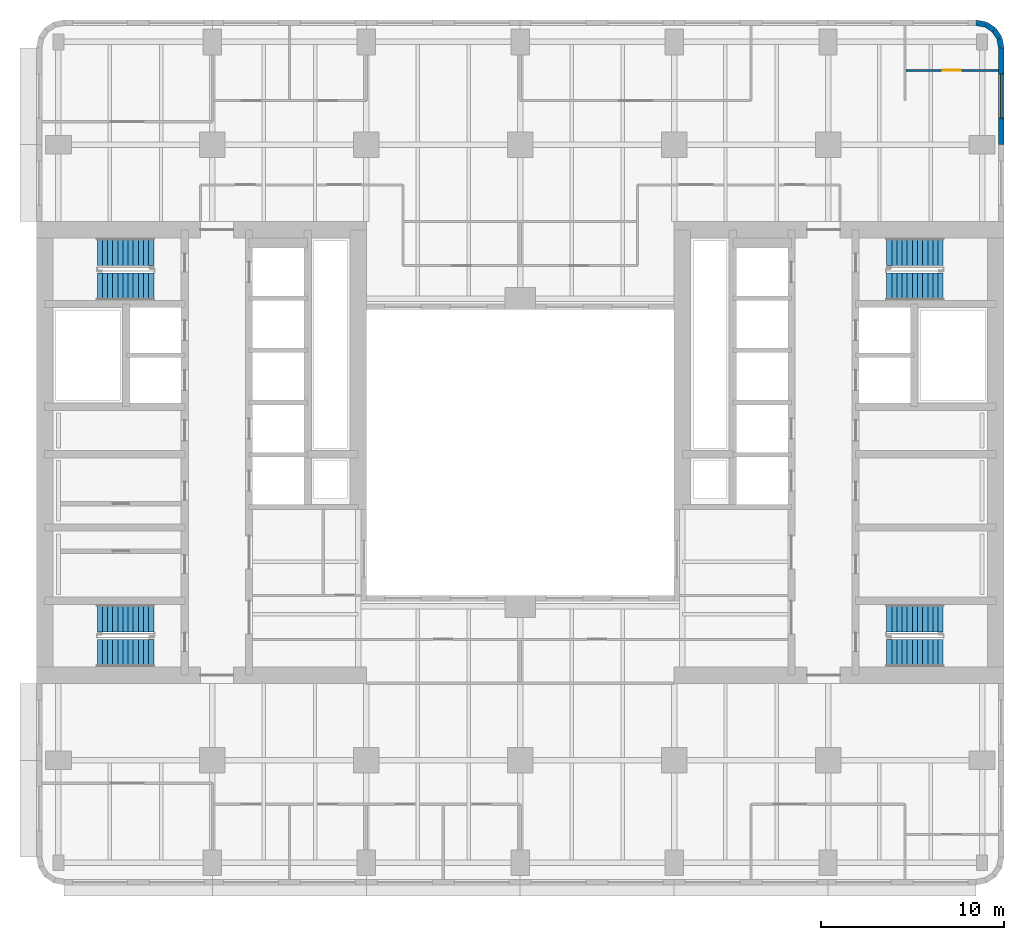
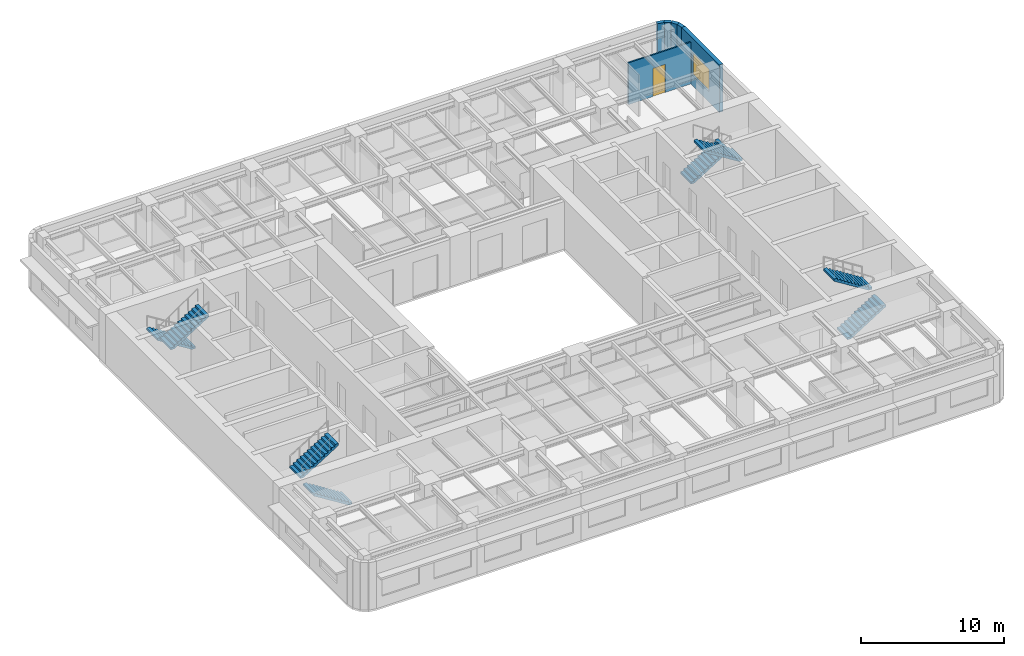
# One storey, part 8 of 11: 8 stair flights, 6 walls, 1 door, 1 window, 2 openings, 4 elements without a shape of their own.
"""IFC4 building model written with IfcOpenShell, lengths in metres."""

from ifc_helpers import new_model, si_unit, direction, frame, frame_2d, origin, place, context, subcontext, project, spatial, polyline, rectangle, outline, extrude, material, layer, layer_set, type_object, element, fill, aggregate, save


model = new_model("IFC4")

# Units and contexts
model_context = context("Model", 3, precision=1e-05, world=origin(), true_north=direction((0.0, 1.0)))
body_context = subcontext(model_context, "Body", "Model", "MODEL_VIEW")
ifc_project = project(units=[si_unit("LENGTHUNIT", "METRE"), si_unit("AREAUNIT", "SQUARE_METRE"), si_unit("VOLUMEUNIT", "CUBIC_METRE"), si_unit("PLANEANGLEUNIT", "RADIAN"), si_unit("MASSUNIT", "GRAM", prefix="KILO")], contexts=[model_context])

# Site, building, storey
site_placement = place(None, origin())
site = spatial("IfcSite", under=ifc_project, at=site_placement, CompositionType="ELEMENT")
building_placement = place(site_placement, origin())
building = spatial("IfcBuilding", under=site, at=building_placement, Name="Claustro Exchange Tower", CompositionType="ELEMENT")
storey_placement = place(building_placement, frame((0.0, 0.0, 121.800048828125)))
storey = spatial("IfcBuildingStorey", under=building, at=storey_placement, Name="L27", CompositionType="ELEMENT", Elevation=121.800048828125)

# Wall, opening, door
ifc_material_1 = material(Name="Laminated glass in aluminium frame", Category="aluminium")
ifc_layer_1 = layer(ifc_material_1, 0.1201171875)
ifc_layer_set_1 = layer_set([ifc_layer_1], Name="Laminated glass in aluminium frame")
wall_type_1 = type_object("IfcWallType", Name="P2 120 glazed partition", PredefinedType="PARTITIONING", material=ifc_layer_set_1)
wall_1_placement = place(storey_placement, frame((46.258056640625, 46.050048828125, 0.0), z_axis=(0.0, 0.0, 1.0), x_axis=(1.0, 0.0, 0.0)))
wall_1 = element("IfcWall", 1, at=wall_1_placement, inside=storey, type_object=wall_type_1, Name="Partition P2 L27", PredefinedType="PARTITIONING", context=body_context, shape_type="SweptSolid", body=[
    extrude(rectangle(XDim=5.0439453125, YDim=0.1201171875, at=frame_2d((2.52197265625, 0.0))), origin(), (0.0, 0.0, 1.0), 3.56005859375),
])
opening_1_placement = place(wall_1_placement, frame((1.991943359375, 0.0, 0.0)))
opening_1 = element("IfcOpeningElement", 2, at=opening_1_placement, cuts=wall_1, Name="Opening D7", PredefinedType="OPENING", context=body_context, shape_type="SweptSolid", body=[
    extrude(rectangle(XDim=1.0, YDim=2.39990234375, at=frame_2d((0.5, 1.199951171875))), frame((0.0, 0.070068359375, 0.0), z_axis=(0.0, -1.0, 0.0), x_axis=(1.0, 0.0, 0.0)), (0.0, 0.0, 1.0), 0.14013671875),
])
ifc_material_2 = material(Name="Glass door in aluminium frame", Category="aluminium")
door_type = type_object("IfcDoorType", Name="D7 1000 x 2400 glazed door", OperationType="SINGLE_SWING_LEFT", PredefinedType="DOOR", material=ifc_material_2)
door_placement = place(opening_1_placement, origin())
door = element("IfcDoor", 3, at=door_placement, inside=storey, type_object=door_type, Name="Door D7 L27", OperationType="SINGLE_SWING_LEFT", OverallHeight=2.39990234375, OverallWidth=1.0, PredefinedType="DOOR", context=body_context, shape_type="SweptSolid", body=[
    extrude(rectangle(XDim=1.0, YDim=2.39990234375, at=frame_2d((0.5, 1.199951171875))), frame((0.0, 0.02490234375, 0.0), z_axis=(0.0, -1.0, 0.0), x_axis=(1.0, 0.0, 0.0)), (0.0, 0.0, 1.0), 0.050048828125),
])
fill(opening_1, door)

# Walls
ifc_material_3 = material(Name="Concrete HA-40 (C40/50), precast, white cement, acid-etched", Category="concrete")
ifc_layer_2 = layer(ifc_material_3, 0.300048828125)
ifc_layer_set_2 = layer_set([ifc_layer_2], Name="Concrete HA-40 (C40/50), precast, white cement, acid-etched")
wall_type_2 = type_object("IfcWallType", Name="PC1 300 precast concrete pier panel", PredefinedType="SOLIDWALL", material=ifc_layer_set_2)
wall_2_placement = place(storey_placement, frame((50.085205078125, 48.64990234375, 0.0), z_axis=(0.0, 0.0, 1.0), x_axis=(0.980788534345, -0.195073962632, 0.0)))
element("IfcWall", 4, at=wall_2_placement, inside=storey, type_object=wall_type_2, Name="Precast pier panel PC1 L27", PredefinedType="SOLIDWALL", context=body_context, shape_type="SweptSolid", body=[
    extrude(rectangle(XDim=0.540771484375, YDim=0.300048828125, at=frame_2d((0.2705078125, 0.0))), origin(), (0.0, 0.0, 1.0), 4.050048828125),
])
wall_3_placement = place(storey_placement, frame((50.615478515625, 48.54443359375, 0.0), z_axis=(0.0, 0.0, 1.0), x_axis=(0.831692711774, -0.555236195849, 0.0)))
element("IfcWall", 5, at=wall_3_placement, inside=storey, type_object=wall_type_2, Name="Precast pier panel PC1 L27", PredefinedType="SOLIDWALL", context=body_context, shape_type="SweptSolid", body=[
    extrude(rectangle(XDim=0.525390625, YDim=0.300048828125, at=frame_2d((0.2626953125, 0.0))), origin(), (0.0, 0.0, 1.0), 4.050048828125),
])
wall_4_placement = place(storey_placement, frame((51.052490234375, 48.252685546875, 0.0), z_axis=(0.0, 0.0, 1.0), x_axis=(0.55534295404, -0.831621430339, 0.0)))
element("IfcWall", 6, at=wall_4_placement, inside=storey, type_object=wall_type_2, Name="Precast pier panel PC1 L27", PredefinedType="SOLIDWALL", context=body_context, shape_type="SweptSolid", body=[
    extrude(rectangle(XDim=0.52587890625, YDim=0.300048828125, at=frame_2d((0.262939453125, 0.0))), origin(), (0.0, 0.0, 1.0), 4.050048828125),
])
wall_5_placement = place(storey_placement, frame((51.344482421875, 47.8154296875, 0.0), z_axis=(0.0, 0.0, 1.0), x_axis=(0.195073962632, -0.980788534345, 0.0)))
element("IfcWall", 7, at=wall_5_placement, inside=storey, type_object=wall_type_2, Name="Precast pier panel PC1 L27", PredefinedType="SOLIDWALL", context=body_context, shape_type="SweptSolid", body=[
    extrude(rectangle(XDim=0.540771484375, YDim=0.300048828125, at=frame_2d((0.2705078125, 0.0))), origin(), (0.0, 0.0, 1.0), 4.050048828125),
])

# Wall, opening, window
wall_6_placement = place(storey_placement, frame((51.449951171875, 47.28515625, 0.0), z_axis=(0.0, 0.0, 1.0), x_axis=(0.0, -1.0, 0.0)))
wall_6 = element("IfcWall", 8, at=wall_6_placement, inside=storey, type_object=wall_type_2, Name="Precast pier panel PC1 L27", PredefinedType="SOLIDWALL", context=body_context, shape_type="SweptSolid", body=[
    extrude(rectangle(XDim=5.28515625, YDim=0.300048828125, at=frame_2d((2.642578125, 0.0))), origin(), (0.0, 0.0, 1.0), 4.050048828125),
])
opening_2_placement = place(wall_6_placement, frame((1.442626953125, 0.0, 0.89990234375)))
opening_2 = element("IfcOpeningElement", 9, at=opening_2_placement, cuts=wall_6, Name="Opening W2", PredefinedType="OPENING", context=body_context, shape_type="SweptSolid", body=[
    extrude(rectangle(XDim=2.39990234375, YDim=1.89990234375, at=frame_2d((1.199951171875, 0.949951171875))), frame((0.0, 0.159912109375, 0.0), z_axis=(0.0, -1.0, 0.0), x_axis=(1.0, 0.0, 0.0)), (0.0, 0.0, 1.0), 0.320068359375),
])
ifc_material_4 = material(Name="Aluminium frame, clear double glazing", Category="aluminium")
window_type = type_object("IfcWindowType", Name="W2 2400 x 1900 window", PartitioningType="SINGLE_PANEL", PredefinedType="WINDOW", material=ifc_material_4)
window_placement = place(opening_2_placement, origin())
window = element("IfcWindow", 10, at=window_placement, inside=storey, type_object=window_type, Name="Window W2 L27", OverallHeight=1.89990234375, OverallWidth=2.39990234375, PartitioningType="SINGLE_PANEL", PredefinedType="WINDOW", context=body_context, shape_type="SweptSolid", body=[
    extrude(rectangle(XDim=2.39990234375, YDim=1.89990234375, at=frame_2d((1.199951171875, 0.949951171875))), frame((0.0, 0.030029296875, 0.0), z_axis=(0.0, -1.0, 0.0), x_axis=(1.0, 0.0, 0.0)), (0.0, 0.0, 1.0), 0.06005859375),
])
fill(opening_2, window)

# Stair, stair flights
ifc_material_5 = material(Name="Concrete HA-30 (C30/37), precast", Category="concrete")
stair_type = type_object("IfcStairType", Name="ST1 half-turn stair, 24 risers of 175", PredefinedType="HALF_TURN_STAIR", material=ifc_material_5)
stair_1_placement = place(storey_placement, origin())
stair_1 = element("IfcStair", 11, at=stair_1_placement, inside=storey, type_object=stair_type, Name="Stair STWA L27", PredefinedType="HALF_TURN_STAIR")
ifc_material_6 = material(Name="Concrete HA-30 (C30/37), precast", Category="concrete")
stair_flight_type = type_object("IfcStairFlightType", Name="SF12A straight flight, 12 risers of 175, 1500 wide", PredefinedType="STRAIGHT", material=ifc_material_6)
stair_flight_1_placement = place(storey_placement, frame((5.199951171875, 14.25, 0.0), z_axis=(0.0, 0.0, 1.0), x_axis=(-1.0, 0.0, 0.0)))
stair_flight_1 = element("IfcStairFlight", 12, at=stair_flight_1_placement, type_object=stair_flight_type, Name="STWA flight 1", NumberOfRisers=12, NumberOfTreads=11, PredefinedType="STRAIGHT", RiserHeight=0.175, TreadLength=0.28, context=body_context, shape_type="SweptSolid", body=[
    extrude(outline(polyline([(0.0, 0.0), (0.0, 0.175048828125), (0.280029296875, 0.175048828125), (0.280029296875, 0.35009765625), (0.56005859375, 0.35009765625), (0.56005859375, 0.52490234375), (0.840087890625, 0.52490234375), (0.840087890625, 0.699951171875), (1.1201171875, 0.699951171875), (1.1201171875, 0.875), (1.39990234375, 0.875), (1.39990234375, 1.050048828125), (1.679931640625, 1.050048828125), (1.679931640625, 1.22509765625), (1.9599609375, 1.22509765625), (1.9599609375, 1.39990234375), (2.239990234375, 1.39990234375), (2.239990234375, 1.574951171875), (2.52001953125, 1.574951171875), (2.52001953125, 1.75), (2.800048828125, 1.75), (2.800048828125, 1.925048828125), (3.080078125, 1.925048828125), (3.080078125, 2.10009765625), (3.080078125, 1.748291015625), (0.28271484375, 0.0), (0.0, 0.0)])), frame((0.0, 0.75, 0.0), z_axis=(0.0, -1.0, 0.0), x_axis=(1.0, 0.0, 0.0)), (0.0, 0.0, 1.0), 1.5),
])
stair_flight_2_placement = place(storey_placement, frame((2.1201171875, 16.14990234375, 2.099853515625), z_axis=(0.0, 0.0, 1.0), x_axis=(1.0, 0.0, 0.0)))
stair_flight_2 = element("IfcStairFlight", 13, at=stair_flight_2_placement, type_object=stair_flight_type, Name="STWA flight 2", NumberOfRisers=12, NumberOfTreads=11, PredefinedType="STRAIGHT", RiserHeight=0.175, TreadLength=0.28, context=body_context, shape_type="SweptSolid", body=[
    extrude(outline(polyline([(0.0, 0.0), (0.0, 0.175048828125), (0.280029296875, 0.175048828125), (0.280029296875, 0.35009765625), (0.56005859375, 0.35009765625), (0.56005859375, 0.52490234375), (0.840087890625, 0.52490234375), (0.840087890625, 0.699951171875), (1.1201171875, 0.699951171875), (1.1201171875, 0.875), (1.39990234375, 0.875), (1.39990234375, 1.050048828125), (1.679931640625, 1.050048828125), (1.679931640625, 1.22509765625), (1.9599609375, 1.22509765625), (1.9599609375, 1.39990234375), (2.239990234375, 1.39990234375), (2.239990234375, 1.574951171875), (2.52001953125, 1.574951171875), (2.52001953125, 1.75), (2.800048828125, 1.75), (2.800048828125, 1.925048828125), (3.080078125, 1.925048828125), (3.080078125, 2.10009765625), (3.080078125, 1.748291015625), (0.28271484375, 0.0), (0.0, 0.0)])), frame((0.0, 0.75, 0.0), z_axis=(0.0, -1.0, 0.0), x_axis=(1.0, 0.0, 0.0)), (0.0, 0.0, 1.0), 1.5),
])
aggregate(stair_1, [stair_flight_1, stair_flight_2])

stair_2_placement = place(storey_placement, origin())
stair_2 = element("IfcStair", 14, at=stair_2_placement, inside=storey, type_object=stair_type, Name="Stair STWB L27", PredefinedType="HALF_TURN_STAIR")
stair_flight_3_placement = place(storey_placement, frame((5.199951171875, 36.14990234375, 0.0), z_axis=(0.0, 0.0, 1.0), x_axis=(-1.0, 0.0, 0.0)))
stair_flight_3 = element("IfcStairFlight", 15, at=stair_flight_3_placement, type_object=stair_flight_type, Name="STWB flight 1", NumberOfRisers=12, NumberOfTreads=11, PredefinedType="STRAIGHT", RiserHeight=0.175, TreadLength=0.28, context=body_context, shape_type="SweptSolid", body=[
    extrude(outline(polyline([(0.0, 0.0), (0.0, 0.175048828125), (0.280029296875, 0.175048828125), (0.280029296875, 0.35009765625), (0.56005859375, 0.35009765625), (0.56005859375, 0.52490234375), (0.840087890625, 0.52490234375), (0.840087890625, 0.699951171875), (1.1201171875, 0.699951171875), (1.1201171875, 0.875), (1.39990234375, 0.875), (1.39990234375, 1.050048828125), (1.679931640625, 1.050048828125), (1.679931640625, 1.22509765625), (1.9599609375, 1.22509765625), (1.9599609375, 1.39990234375), (2.239990234375, 1.39990234375), (2.239990234375, 1.574951171875), (2.52001953125, 1.574951171875), (2.52001953125, 1.75), (2.800048828125, 1.75), (2.800048828125, 1.925048828125), (3.080078125, 1.925048828125), (3.080078125, 2.10009765625), (3.080078125, 1.748291015625), (0.28271484375, 0.0), (0.0, 0.0)])), frame((0.0, 0.75, 0.0), z_axis=(0.0, -1.0, 0.0), x_axis=(1.0, 0.0, 0.0)), (0.0, 0.0, 1.0), 1.5),
])
stair_flight_4_placement = place(storey_placement, frame((2.1201171875, 34.25, 2.099853515625), z_axis=(0.0, 0.0, 1.0), x_axis=(1.0, 0.0, 0.0)))
stair_flight_4 = element("IfcStairFlight", 16, at=stair_flight_4_placement, type_object=stair_flight_type, Name="STWB flight 2", NumberOfRisers=12, NumberOfTreads=11, PredefinedType="STRAIGHT", RiserHeight=0.175, TreadLength=0.28, context=body_context, shape_type="SweptSolid", body=[
    extrude(outline(polyline([(0.0, 0.0), (0.0, 0.175048828125), (0.280029296875, 0.175048828125), (0.280029296875, 0.35009765625), (0.56005859375, 0.35009765625), (0.56005859375, 0.52490234375), (0.840087890625, 0.52490234375), (0.840087890625, 0.699951171875), (1.1201171875, 0.699951171875), (1.1201171875, 0.875), (1.39990234375, 0.875), (1.39990234375, 1.050048828125), (1.679931640625, 1.050048828125), (1.679931640625, 1.22509765625), (1.9599609375, 1.22509765625), (1.9599609375, 1.39990234375), (2.239990234375, 1.39990234375), (2.239990234375, 1.574951171875), (2.52001953125, 1.574951171875), (2.52001953125, 1.75), (2.800048828125, 1.75), (2.800048828125, 1.925048828125), (3.080078125, 1.925048828125), (3.080078125, 2.10009765625), (3.080078125, 1.748291015625), (0.28271484375, 0.0), (0.0, 0.0)])), frame((0.0, 0.75, 0.0), z_axis=(0.0, -1.0, 0.0), x_axis=(1.0, 0.0, 0.0)), (0.0, 0.0, 1.0), 1.5),
])
aggregate(stair_2, [stair_flight_3, stair_flight_4])

stair_3_placement = place(storey_placement, origin())
stair_3 = element("IfcStair", 17, at=stair_3_placement, inside=storey, type_object=stair_type, Name="Stair STEA L27", PredefinedType="HALF_TURN_STAIR")
stair_flight_5_placement = place(storey_placement, frame((45.199951171875, 14.25, 0.0), z_axis=(0.0, 0.0, 1.0), x_axis=(1.0, 0.0, 0.0)))
stair_flight_5 = element("IfcStairFlight", 18, at=stair_flight_5_placement, type_object=stair_flight_type, Name="STEA flight 1", NumberOfRisers=12, NumberOfTreads=11, PredefinedType="STRAIGHT", RiserHeight=0.175, TreadLength=0.28, context=body_context, shape_type="SweptSolid", body=[
    extrude(outline(polyline([(0.0, 0.0), (0.0, 0.175048828125), (0.280029296875, 0.175048828125), (0.280029296875, 0.35009765625), (0.56005859375, 0.35009765625), (0.56005859375, 0.52490234375), (0.840087890625, 0.52490234375), (0.840087890625, 0.699951171875), (1.1201171875, 0.699951171875), (1.1201171875, 0.875), (1.39990234375, 0.875), (1.39990234375, 1.050048828125), (1.679931640625, 1.050048828125), (1.679931640625, 1.22509765625), (1.9599609375, 1.22509765625), (1.9599609375, 1.39990234375), (2.239990234375, 1.39990234375), (2.239990234375, 1.574951171875), (2.52001953125, 1.574951171875), (2.52001953125, 1.75), (2.800048828125, 1.75), (2.800048828125, 1.925048828125), (3.080078125, 1.925048828125), (3.080078125, 2.10009765625), (3.080078125, 1.748291015625), (0.28271484375, 0.0), (0.0, 0.0)])), frame((0.0, 0.75, 0.0), z_axis=(0.0, -1.0, 0.0), x_axis=(1.0, 0.0, 0.0)), (0.0, 0.0, 1.0), 1.5),
])
stair_flight_6_placement = place(storey_placement, frame((48.280029296875, 16.14990234375, 2.099853515625), z_axis=(0.0, 0.0, 1.0), x_axis=(-1.0, 0.0, 0.0)))
stair_flight_6 = element("IfcStairFlight", 19, at=stair_flight_6_placement, type_object=stair_flight_type, Name="STEA flight 2", NumberOfRisers=12, NumberOfTreads=11, PredefinedType="STRAIGHT", RiserHeight=0.175, TreadLength=0.28, context=body_context, shape_type="SweptSolid", body=[
    extrude(outline(polyline([(0.0, 0.0), (0.0, 0.175048828125), (0.280029296875, 0.175048828125), (0.280029296875, 0.35009765625), (0.56005859375, 0.35009765625), (0.56005859375, 0.52490234375), (0.840087890625, 0.52490234375), (0.840087890625, 0.699951171875), (1.1201171875, 0.699951171875), (1.1201171875, 0.875), (1.39990234375, 0.875), (1.39990234375, 1.050048828125), (1.679931640625, 1.050048828125), (1.679931640625, 1.22509765625), (1.9599609375, 1.22509765625), (1.9599609375, 1.39990234375), (2.239990234375, 1.39990234375), (2.239990234375, 1.574951171875), (2.52001953125, 1.574951171875), (2.52001953125, 1.75), (2.800048828125, 1.75), (2.800048828125, 1.925048828125), (3.080078125, 1.925048828125), (3.080078125, 2.10009765625), (3.080078125, 1.748291015625), (0.28271484375, 0.0), (0.0, 0.0)])), frame((0.0, 0.75, 0.0), z_axis=(0.0, -1.0, 0.0), x_axis=(1.0, 0.0, 0.0)), (0.0, 0.0, 1.0), 1.5),
])
aggregate(stair_3, [stair_flight_5, stair_flight_6])

stair_4_placement = place(storey_placement, origin())
stair_4 = element("IfcStair", 20, at=stair_4_placement, inside=storey, type_object=stair_type, Name="Stair STEB L27", PredefinedType="HALF_TURN_STAIR")
stair_flight_7_placement = place(storey_placement, frame((45.199951171875, 36.14990234375, 0.0), z_axis=(0.0, 0.0, 1.0), x_axis=(1.0, 0.0, 0.0)))
stair_flight_7 = element("IfcStairFlight", 21, at=stair_flight_7_placement, type_object=stair_flight_type, Name="STEB flight 1", NumberOfRisers=12, NumberOfTreads=11, PredefinedType="STRAIGHT", RiserHeight=0.175, TreadLength=0.28, context=body_context, shape_type="SweptSolid", body=[
    extrude(outline(polyline([(0.0, 0.0), (0.0, 0.175048828125), (0.280029296875, 0.175048828125), (0.280029296875, 0.35009765625), (0.56005859375, 0.35009765625), (0.56005859375, 0.52490234375), (0.840087890625, 0.52490234375), (0.840087890625, 0.699951171875), (1.1201171875, 0.699951171875), (1.1201171875, 0.875), (1.39990234375, 0.875), (1.39990234375, 1.050048828125), (1.679931640625, 1.050048828125), (1.679931640625, 1.22509765625), (1.9599609375, 1.22509765625), (1.9599609375, 1.39990234375), (2.239990234375, 1.39990234375), (2.239990234375, 1.574951171875), (2.52001953125, 1.574951171875), (2.52001953125, 1.75), (2.800048828125, 1.75), (2.800048828125, 1.925048828125), (3.080078125, 1.925048828125), (3.080078125, 2.10009765625), (3.080078125, 1.748291015625), (0.28271484375, 0.0), (0.0, 0.0)])), frame((0.0, 0.75, 0.0), z_axis=(0.0, -1.0, 0.0), x_axis=(1.0, 0.0, 0.0)), (0.0, 0.0, 1.0), 1.5),
])
stair_flight_8_placement = place(storey_placement, frame((48.280029296875, 34.25, 2.099853515625), z_axis=(0.0, 0.0, 1.0), x_axis=(-1.0, 0.0, 0.0)))
stair_flight_8 = element("IfcStairFlight", 22, at=stair_flight_8_placement, type_object=stair_flight_type, Name="STEB flight 2", NumberOfRisers=12, NumberOfTreads=11, PredefinedType="STRAIGHT", RiserHeight=0.175, TreadLength=0.28, context=body_context, shape_type="SweptSolid", body=[
    extrude(outline(polyline([(0.0, 0.0), (0.0, 0.175048828125), (0.280029296875, 0.175048828125), (0.280029296875, 0.35009765625), (0.56005859375, 0.35009765625), (0.56005859375, 0.52490234375), (0.840087890625, 0.52490234375), (0.840087890625, 0.699951171875), (1.1201171875, 0.699951171875), (1.1201171875, 0.875), (1.39990234375, 0.875), (1.39990234375, 1.050048828125), (1.679931640625, 1.050048828125), (1.679931640625, 1.22509765625), (1.9599609375, 1.22509765625), (1.9599609375, 1.39990234375), (2.239990234375, 1.39990234375), (2.239990234375, 1.574951171875), (2.52001953125, 1.574951171875), (2.52001953125, 1.75), (2.800048828125, 1.75), (2.800048828125, 1.925048828125), (3.080078125, 1.925048828125), (3.080078125, 2.10009765625), (3.080078125, 1.748291015625), (0.28271484375, 0.0), (0.0, 0.0)])), frame((0.0, 0.75, 0.0), z_axis=(0.0, -1.0, 0.0), x_axis=(1.0, 0.0, 0.0)), (0.0, 0.0, 1.0), 1.5),
])
aggregate(stair_4, [stair_flight_7, stair_flight_8])

save(model, "model.ifc")
